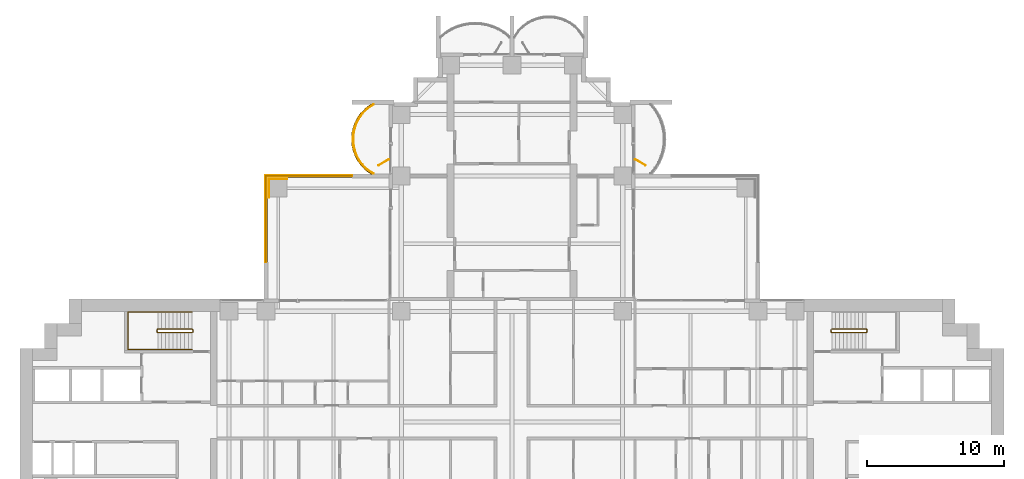
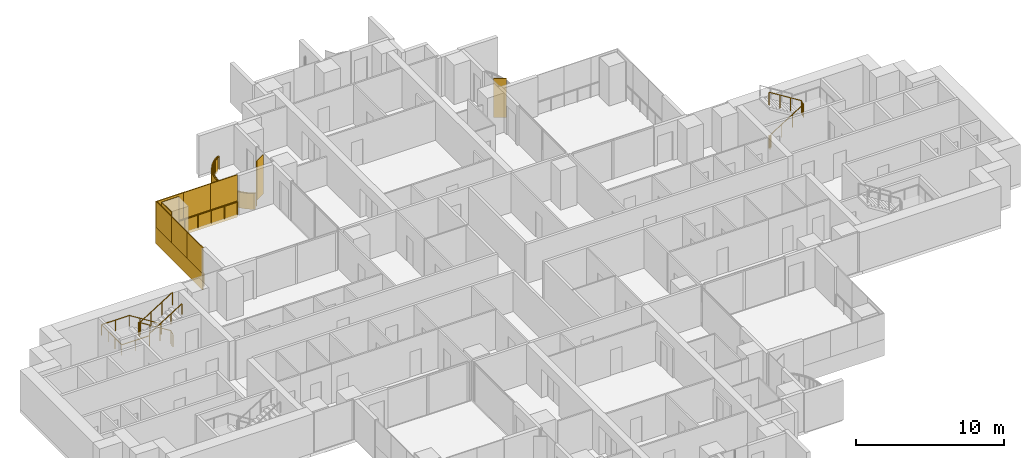
# One storey, part 19 of 21: 10 coverings, 5 railings, 2 shading devices.
"""IFC4 building model written with IfcOpenShell, lengths in metres."""

import ifcopenshell
import ifcopenshell.guid

model = None  # the IFC model being written
_history = None  # IfcOwnerHistory: only IFC2X3 demands one
_inside = {}  # id of a spatial element -> (the spatial element, [elements in it])
_under = {}  # id of a project, library or spatial element -> (it, [spatial elements below it])
_declared = {}  # id of a project -> (the project, [libraries it declares])
_typed = {}  # id of a type object -> (the type object, [elements of that type])
_made_of = {}  # id of a material, layer set ... -> (it, [elements and type objects made of it])


def new_model(schema):
    """Start an empty IFC model of exactly this schema.

    Asked for "IFC4X3", IfcOpenShell would pick the latest addendum, in which some entities
    have other attributes; the version numbers below select the first issue.
    IFC2X3 requires an IfcOwnerHistory on every rooted entity: one is made here for all.
    """
    global model, _history
    if schema == "IFC4X3":
        model = ifcopenshell.file(schema_version=(4, 3, 0, 0))
    else:
        model = ifcopenshell.file(schema=schema)
    _inside.clear()
    _under.clear()
    _declared.clear()
    _typed.clear()
    _made_of.clear()
    _history = None
    if model.schema == "IFC2X3":
        org = make("IfcOrganization", Name="unknown")
        user = make(
            "IfcPersonAndOrganization",
            ThePerson=make("IfcPerson", FamilyName="unknown"),
            TheOrganization=org,
        )
        app = make(
            "IfcApplication",
            ApplicationDeveloper=org,
            Version="unknown",
            ApplicationFullName="unknown",
            ApplicationIdentifier="unknown",
        )
        _history = make(
            "IfcOwnerHistory",
            OwningUser=user,
            OwningApplication=app,
            ChangeAction="ADDED",
            CreationDate=0,
        )
    return model


def make(cls, **values):
    """One entity of the class cls with the attributes given. An attribute that is None is left unset."""
    return model.create_entity(
        cls, **{name: value for name, value in values.items() if value is not None}
    )


def rooted(cls, **values):
    """An entity with a GlobalId (a new one), such as an element, a storey or a relation."""
    return make(cls, GlobalId=ifcopenshell.guid.new(), OwnerHistory=_history, **values)


def si_unit(unit_type, name, prefix=None):
    """IfcSIUnit, for example si_unit("LENGTHUNIT", "METRE", prefix="MILLI")."""
    return make("IfcSIUnit", UnitType=unit_type, Prefix=prefix, Name=name)


def assignment(units):
    """IfcUnitAssignment: the units of a project."""
    return None if units is None else make("IfcUnitAssignment", Units=units)


def point(xyz):
    """IfcCartesianPoint."""
    return None if xyz is None else make("IfcCartesianPoint", Coordinates=xyz)


def direction(xyz):
    """IfcDirection."""
    return None if xyz is None else make("IfcDirection", DirectionRatios=xyz)


def frame(location, z_axis=None, x_axis=None):
    """IfcAxis2Placement3D, a coordinate frame: its origin and axes. An axis left out is left unset."""
    return make(
        "IfcAxis2Placement3D",
        Location=point(location),
        Axis=direction(z_axis),
        RefDirection=direction(x_axis),
    )


def frame_2d(location, x_axis=None):
    """IfcAxis2Placement2D, a coordinate frame in the plane: its origin and x axis."""
    return make(
        "IfcAxis2Placement2D", Location=point(location), RefDirection=direction(x_axis)
    )


def origin():
    """The frame at (0, 0, 0) with its axes left unset."""
    return frame((0.0, 0.0, 0.0))


def origin_2d():
    """The frame at (0, 0) in the plane with its x axis left unset."""
    return frame_2d((0.0, 0.0))


def place(relative_to, where):
    """IfcLocalPlacement: puts the frame where relative to a parent placement (None: the world)."""
    return make(
        "IfcLocalPlacement", PlacementRelTo=relative_to, RelativePlacement=where
    )


def context(
    kind, dimensions, precision=None, world=None, true_north=None, identifier=None
):
    """IfcGeometricRepresentationContext, for example the 3D "Model" context."""
    return make(
        "IfcGeometricRepresentationContext",
        ContextIdentifier=identifier,
        ContextType=kind,
        CoordinateSpaceDimension=dimensions,
        Precision=precision,
        WorldCoordinateSystem=world,
        TrueNorth=true_north,
    )


def subcontext(parent, identifier, kind, view, scale=None):
    """IfcGeometricRepresentationSubContext, for example "Body" below "Model"."""
    return make(
        "IfcGeometricRepresentationSubContext",
        ContextIdentifier=identifier,
        ContextType=kind,
        ParentContext=parent,
        TargetScale=scale,
        TargetView=view,
    )


def project(units=None, contexts=None):
    """IfcProject with its units and contexts."""
    return rooted(
        "IfcProject",
        Name="project",
        RepresentationContexts=contexts,
        UnitsInContext=assignment(units),
    )


def spatial(cls, under=None, at=None, **own):
    """A site, building, storey or space (cls), placed at a placement, below another one or the project."""
    s = rooted(cls, ObjectPlacement=at, **own)
    if under is not None:
        _under.setdefault(under.id(), (under, []))[1].append(s)
    return s


def polyline(points):
    """IfcPolyline through the points."""
    return make("IfcPolyline", Points=[point(p) for p in points])


def profile(cls, at=None, kind="AREA", **sizes):
    """A parametric profile (cls). Its sizes go by their IFC names, for example OverallWidth=200.0."""
    return make(cls, ProfileType=kind, Position=at, **sizes)


def rectangle(**sizes):
    """IfcRectangleProfileDef."""
    return profile("IfcRectangleProfileDef", **sizes)


def outline(outer, holes=None, kind="AREA"):
    """IfcArbitraryClosedProfileDef: a profile drawn as a closed curve; with holes, ...WithVoids."""
    if holes is None:
        return make("IfcArbitraryClosedProfileDef", ProfileType=kind, OuterCurve=outer)
    return make(
        "IfcArbitraryProfileDefWithVoids",
        ProfileType=kind,
        OuterCurve=outer,
        InnerCurves=holes,
    )


def extrude(swept, where, along, depth):
    """IfcExtrudedAreaSolid: the profile swept, set in the frame where, extruded along a direction by depth."""
    return make(
        "IfcExtrudedAreaSolid",
        SweptArea=swept,
        Position=where,
        ExtrudedDirection=direction(along),
        Depth=depth,
    )


def shape(context_of_items, identifier, shape_type, items):
    """IfcShapeRepresentation: the items that make up one representation, for example the "Body"."""
    return make(
        "IfcShapeRepresentation",
        ContextOfItems=context_of_items,
        RepresentationIdentifier=identifier,
        RepresentationType=shape_type,
        Items=items,
    )


def material(Name=None, Category=None):
    """IfcMaterial."""
    return make("IfcMaterial", Name=Name, Category=Category)


def layer(
    of_material, thickness, ventilated=None, Name=None, Category=None, Priority=None
):
    """IfcMaterialLayer: one layer of a wall or slab, of a material (None: an air gap)."""
    return make(
        "IfcMaterialLayer",
        Material=of_material,
        LayerThickness=thickness,
        IsVentilated=ventilated,
        Name=Name,
        Category=Category,
        Priority=Priority,
    )


def layer_set(layers, Name=None):
    """IfcMaterialLayerSet."""
    return make("IfcMaterialLayerSet", MaterialLayers=layers, LayerSetName=Name)


def made_of(thing, what):
    """Note that an element or type object is made of a material, layer set ...; save() writes the relation."""
    if what is not None:
        _made_of.setdefault(what.id(), (what, []))[1].append(thing)
    return thing


def type_object(cls, material=None, **own):
    """A type object (cls), such as IfcWallType, which elements share."""
    return made_of(rooted(cls, **own), material)


def element(
    cls,
    number,
    at=None,
    inside=None,
    cuts=None,
    type_object=None,
    material=None,
    context=None,
    identifier="Body",
    shape_type=None,
    held_by="IfcProductDefinitionShape",
    body=None,
    shapes=None,
    **own,
):
    """One element of the class cls, such as IfcWall. Its Tag is "e" and its number.

    at: its placement. inside: the storey or other place that contains it. cuts: it is an
    opening in that element (IfcRelVoidsElement). A single representation is given by context,
    identifier, shape_type and body (its items); several are given by shapes. held_by: the class
    of the entity that holds the representations. save() writes the other relations.
    """
    e = rooted(cls, Tag="e%d" % number, ObjectPlacement=at, **own)
    if body is not None:
        shapes = [shape(context, identifier, shape_type, body)]
    if shapes is not None:
        e.Representation = make(held_by, Representations=shapes)
    if inside is not None:
        _inside.setdefault(inside.id(), (inside, []))[1].append(e)
    if cuts is not None:
        rooted(
            "IfcRelVoidsElement", RelatingBuildingElement=cuts, RelatedOpeningElement=e
        )
    if type_object is not None:
        _typed.setdefault(type_object.id(), (type_object, []))[1].append(e)
    return made_of(e, material)


def aggregate(whole, parts):
    """IfcRelAggregates: a whole, such as a stair, and the parts it consists of."""
    return rooted("IfcRelAggregates", RelatingObject=whole, RelatedObjects=parts)


def save(model, path):
    """Write the relations noted so far, then the file.

    IfcRelAggregates (storeys below a building ...), IfcRelContainedInSpatialStructure (elements
    in a storey), IfcRelDefinesByType, IfcRelAssociatesMaterial and IfcRelDeclares: one each for
    every whole, place, type object, material and project.
    """
    for whole, parts in _under.values():
        aggregate(whole, parts)
    for where, things in _inside.values():
        rooted(
            "IfcRelContainedInSpatialStructure",
            RelatedElements=things,
            RelatingStructure=where,
        )
    for kind, things in _typed.values():
        rooted("IfcRelDefinesByType", RelatedObjects=things, RelatingType=kind)
    for what, things in _made_of.values():
        rooted("IfcRelAssociatesMaterial", RelatedObjects=things, RelatingMaterial=what)
    for by, libraries in _declared.values():
        rooted("IfcRelDeclares", RelatingContext=by, RelatedDefinitions=libraries)
    model.write(path)


model = new_model("IFC4")

# Units and contexts
model_context = context("Model", 3, precision=1e-05, world=origin(), true_north=direction((0.0, 1.0)))
body_context = subcontext(model_context, "Body", "Model", "MODEL_VIEW")
ifc_project = project(units=[si_unit("LENGTHUNIT", "METRE"), si_unit("AREAUNIT", "SQUARE_METRE"), si_unit("VOLUMEUNIT", "CUBIC_METRE"), si_unit("PLANEANGLEUNIT", "RADIAN"), si_unit("MASSUNIT", "GRAM", prefix="KILO")], contexts=[model_context])

# Site, building, storey
site_placement = place(None, origin())
site = spatial("IfcSite", under=ifc_project, at=site_placement, CompositionType="ELEMENT")
building_placement = place(site_placement, origin())
building = spatial("IfcBuilding", under=site, at=building_placement, Name="Perihelion Cross Residences", CompositionType="ELEMENT")
storey_placement = place(building_placement, frame((0.0, 0.0, 47.0)))
storey = spatial("IfcBuildingStorey", under=building, at=storey_placement, Name="L08", CompositionType="ELEMENT", Elevation=47.0)

# Covering
ifc_material_1 = material(Name="Bronze anodised aluminium", Category="aluminium")
ifc_layer_1 = layer(ifc_material_1, 0.070068359375)
ifc_layer_set_1 = layer_set([ifc_layer_1], Name="Balcony fascia 1300")
covering_type_1 = type_object("IfcCoveringType", Name="Balcony fascia 1300", PredefinedType="CLADDING", material=ifc_layer_set_1)
covering_1_placement = place(storey_placement, frame((0.0, 0.0, -0.199951171875)))
element("IfcCovering", 1, at=covering_1_placement, inside=storey, type_object=covering_type_1, Name="Fascia BF1 L08 north side west bay 1", PredefinedType="CLADDING", context=body_context, shape_type="SweptSolid", body=[
    extrude(outline(polyline([(-10.722412109375, 22.963134765625), (-11.060791015625, 22.61474609375), (-11.308837890625, 22.2666015625), (-11.4912109375, 21.91845703125), (-11.620361328125, 21.5703125), (-11.703369140625, 21.22216796875), (-11.743896484375, 20.8740234375), (-11.743896484375, 20.52587890625), (-11.703369140625, 20.177734375), (-11.620361328125, 19.82958984375), (-11.4912109375, 19.4814453125), (-11.308837890625, 19.13330078125), (-11.060791015625, 18.78515625), (-10.722412109375, 18.43701171875), (-10.320556640625, 18.14990234375), (-10.199951171875, 18.14990234375), (-10.6767578125, 18.489990234375), (-11.007080078125, 18.830078125), (-11.2490234375, 19.169921875), (-11.42724609375, 19.510009765625), (-11.553466796875, 19.85009765625), (-11.63427734375, 20.18994140625), (-11.674072265625, 20.530029296875), (-11.674072265625, 20.8701171875), (-11.63427734375, 21.2099609375), (-11.553466796875, 21.550048828125), (-11.42724609375, 21.889892578125), (-11.2490234375, 22.22998046875), (-11.007080078125, 22.570068359375), (-10.6767578125, 22.909912109375), (-10.199951171875, 23.25), (-10.320556640625, 23.25), (-10.722412109375, 22.963134765625)])), origin(), (0.0, 0.0, 1.0), 1.300048828125),
])

# Railings
ifc_material_2 = material(Name="Bronze anodised aluminium", Category="aluminium")
railing_type_1 = type_object("IfcRailingType", Name="Balcony guard 1100", PredefinedType="GUARDRAIL", material=ifc_material_2)
railing_1_placement = place(storey_placement, frame((-10.139892578125, 23.22509765625, 0.0)))
element("IfcRailing", 2, at=railing_1_placement, inside=storey, type_object=railing_type_1, Name="Guard GU1 L08 north side west bay 1 balcony", PredefinedType="GUARDRAIL", context=body_context, shape_type="SweptSolid", body=[
    extrude(rectangle(XDim=0.048095703125, YDim=0.048095703125, at=origin_2d()), frame((0.0, 0.0, 1.076171875), z_axis=(-0.834212513801, -0.55144309028, 0.0), x_axis=(0.55144309028, -0.834212513801, 0.0)), (0.0, 0.0, 1.0), 0.571533203125),
    extrude(rectangle(XDim=0.048095703125, YDim=0.048095703125, at=origin_2d()), frame((-0.476806640625, -0.315185546875, 1.076171875), z_axis=(-0.696990112603, -0.717080736691, 0.0), x_axis=(0.717080736691, -0.696990112603, 0.0)), (0.0, 0.0, 1.0), 0.473876953125),
    extrude(rectangle(XDim=0.048095703125, YDim=0.048095703125, at=origin_2d()), frame((-0.80712890625, -0.655029296875, 1.076171875), z_axis=(-0.580075995532, -0.814562360662, 0.0), x_axis=(0.814562360662, -0.580075995532, 0.0)), (0.0, 0.0, 1.0), 0.41748046875),
    extrude(rectangle(XDim=0.048095703125, YDim=0.048095703125, at=origin_2d()), frame((-1.04931640625, -0.9951171875, 1.076171875), z_axis=(-0.463674228502, -0.886005761733, 0.0), x_axis=(0.886005761733, -0.463674228502, 0.0)), (0.0, 0.0, 1.0), 0.3837890625),
    extrude(rectangle(XDim=0.048095703125, YDim=0.048095703125, at=origin_2d()), frame((-1.227294921875, -1.335205078125, 1.076171875), z_axis=(-0.348169621027, -0.937431552165, 0.0), x_axis=(0.937431552165, -0.348169621027, 0.0)), (0.0, 0.0, 1.0), 0.362548828125),
    extrude(rectangle(XDim=0.048095703125, YDim=0.048095703125, at=origin_2d()), frame((-1.353515625, -1.675048828125, 1.076171875), z_axis=(-0.231840805498, -0.972753741142, 0.0), x_axis=(0.972753741142, -0.231840805498, 0.0)), (0.0, 0.0, 1.0), 0.349609375),
    extrude(rectangle(XDim=0.048095703125, YDim=0.048095703125, at=origin_2d()), frame((-1.4345703125, -2.01513671875, 1.076171875), z_axis=(-0.11559909788, -0.993295952156, 0.0), x_axis=(0.993295952156, -0.11559909788, 0.0)), (0.0, 0.0, 1.0), 0.342041015625),
    extrude(rectangle(XDim=0.048095703125, YDim=0.048095703125, at=origin_2d()), frame((-1.47412109375, -2.35498046875, 1.076171875), z_axis=(0.0, -1.0, 0.0), x_axis=(1.0, 0.0, 0.0)), (0.0, 0.0, 1.0), 0.340087890625),
    extrude(rectangle(XDim=0.048095703125, YDim=0.048095703125, at=origin_2d()), frame((-1.47412109375, -2.695068359375, 1.076171875), z_axis=(0.11551721994, -0.993305477634, 0.0), x_axis=(0.993305477634, 0.11551721994, 0.0)), (0.0, 0.0, 1.0), 0.34228515625),
    extrude(rectangle(XDim=0.048095703125, YDim=0.048095703125, at=origin_2d()), frame((-1.4345703125, -3.03515625, 1.076171875), z_axis=(0.231998396458, -0.972716168284, 0.0), x_axis=(0.972716168284, 0.231998396458, 0.0)), (0.0, 0.0, 1.0), 0.349365234375),
    extrude(rectangle(XDim=0.048095703125, YDim=0.048095703125, at=origin_2d()), frame((-1.353515625, -3.375, 1.076171875), z_axis=(0.347949948587, -0.93751311099, 0.0), x_axis=(0.93751311099, 0.347949948587, 0.0)), (0.0, 0.0, 1.0), 0.36279296875),
    extrude(rectangle(XDim=0.048095703125, YDim=0.048095703125, at=origin_2d()), frame((-1.227294921875, -3.715087890625, 1.076171875), z_axis=(0.463674228502, -0.886005761733, 0.0), x_axis=(0.886005761733, 0.463674228502, 0.0)), (0.0, 0.0, 1.0), 0.3837890625),
    extrude(rectangle(XDim=0.048095703125, YDim=0.048095703125, at=origin_2d()), frame((-1.04931640625, -4.05517578125, 1.076171875), z_axis=(0.580352394782, -0.814365457194, 0.0), x_axis=(0.814365457194, 0.580352394782, 0.0)), (0.0, 0.0, 1.0), 0.417236328125),
    extrude(rectangle(XDim=0.048095703125, YDim=0.048095703125, at=origin_2d()), frame((-0.80712890625, -4.39501953125, 1.076171875), z_axis=(0.69673269466, -0.717330852669, 0.0), x_axis=(0.717330852669, 0.69673269466, 0.0)), (0.0, 0.0, 1.0), 0.47412109375),
    extrude(rectangle(XDim=0.048095703125, YDim=0.048095703125, at=origin_2d()), frame((-0.476806640625, -4.735107421875, 1.076171875), z_axis=(0.834409002258, -0.551145731138, 0.0), x_axis=(0.551145731138, 0.834409002258, 0.0)), (0.0, 0.0, 1.0), 0.571533203125),
    extrude(rectangle(XDim=0.0419921875, YDim=0.0419921875, at=origin_2d()), origin(), (0.0, 0.0, 1.0), 1.052001953125),
    extrude(rectangle(XDim=0.0419921875, YDim=0.0419921875, at=origin_2d()), frame((-0.476806640625, -0.315185546875, 0.0)), (0.0, 0.0, 1.0), 1.052001953125),
    extrude(rectangle(XDim=0.0419921875, YDim=0.0419921875, at=origin_2d()), frame((-0.80712890625, -0.655029296875, 0.0)), (0.0, 0.0, 1.0), 1.052001953125),
    extrude(rectangle(XDim=0.0419921875, YDim=0.0419921875, at=origin_2d()), frame((-1.04931640625, -0.9951171875, 0.0)), (0.0, 0.0, 1.0), 1.052001953125),
    extrude(rectangle(XDim=0.0419921875, YDim=0.0419921875, at=origin_2d()), frame((-1.227294921875, -1.335205078125, 0.0)), (0.0, 0.0, 1.0), 1.052001953125),
    extrude(rectangle(XDim=0.0419921875, YDim=0.0419921875, at=origin_2d()), frame((-1.353515625, -1.675048828125, 0.0)), (0.0, 0.0, 1.0), 1.052001953125),
    extrude(rectangle(XDim=0.0419921875, YDim=0.0419921875, at=origin_2d()), frame((-1.4345703125, -2.01513671875, 0.0)), (0.0, 0.0, 1.0), 1.052001953125),
    extrude(rectangle(XDim=0.0419921875, YDim=0.0419921875, at=origin_2d()), frame((-1.47412109375, -2.35498046875, 0.0)), (0.0, 0.0, 1.0), 1.052001953125),
    extrude(rectangle(XDim=0.0419921875, YDim=0.0419921875, at=origin_2d()), frame((-1.47412109375, -2.695068359375, 0.0)), (0.0, 0.0, 1.0), 1.052001953125),
    extrude(rectangle(XDim=0.0419921875, YDim=0.0419921875, at=origin_2d()), frame((-1.4345703125, -3.03515625, 0.0)), (0.0, 0.0, 1.0), 1.052001953125),
    extrude(rectangle(XDim=0.0419921875, YDim=0.0419921875, at=origin_2d()), frame((-1.353515625, -3.375, 0.0)), (0.0, 0.0, 1.0), 1.052001953125),
    extrude(rectangle(XDim=0.0419921875, YDim=0.0419921875, at=origin_2d()), frame((-1.227294921875, -3.715087890625, 0.0)), (0.0, 0.0, 1.0), 1.052001953125),
    extrude(rectangle(XDim=0.0419921875, YDim=0.0419921875, at=origin_2d()), frame((-1.04931640625, -4.05517578125, 0.0)), (0.0, 0.0, 1.0), 1.052001953125),
    extrude(rectangle(XDim=0.0419921875, YDim=0.0419921875, at=origin_2d()), frame((-0.80712890625, -4.39501953125, 0.0)), (0.0, 0.0, 1.0), 1.052001953125),
    extrude(rectangle(XDim=0.0419921875, YDim=0.0419921875, at=origin_2d()), frame((-0.476806640625, -4.735107421875, 0.0)), (0.0, 0.0, 1.0), 1.052001953125),
    extrude(rectangle(XDim=0.0419921875, YDim=0.0419921875, at=origin_2d()), frame((0.0, -5.050048828125, 0.0)), (0.0, 0.0, 1.0), 1.052001953125),
])
railing_2_placement = place(storey_placement, frame((-17.93994140625, 11.739990234375, 0.0)))
element("IfcRailing", 3, at=railing_2_placement, inside=storey, type_object=railing_type_1, Name="Guard GU1 L08 pocket north-west 1", PredefinedType="GUARDRAIL", context=body_context, shape_type="SweptSolid", body=[
    extrude(rectangle(XDim=0.048095703125, YDim=0.048095703125, at=origin_2d()), frame((0.0, 0.0, 1.076171875), z_axis=(0.0, 1.0, 0.0), x_axis=(-1.0, 0.0, 0.0)), (0.0, 0.0, 1.0), 6.199951171875),
    extrude(rectangle(XDim=0.048095703125, YDim=0.048095703125, at=origin_2d()), frame((0.0, 6.199951171875, 1.076171875), z_axis=(1.0, 0.0, 0.0), x_axis=(0.0, 1.0, 0.0)), (0.0, 0.0, 1.0), 6.199951171875),
    extrude(rectangle(XDim=0.0419921875, YDim=0.0419921875, at=origin_2d()), origin(), (0.0, 0.0, 1.0), 1.052001953125),
    extrude(rectangle(XDim=0.0419921875, YDim=0.0419921875, at=origin_2d()), frame((0.0, 1.033203125, 0.0)), (0.0, 0.0, 1.0), 1.052001953125),
    extrude(rectangle(XDim=0.0419921875, YDim=0.0419921875, at=origin_2d()), frame((0.0, 2.066650390625, 0.0)), (0.0, 0.0, 1.0), 1.052001953125),
    extrude(rectangle(XDim=0.0419921875, YDim=0.0419921875, at=origin_2d()), frame((0.0, 3.10009765625, 0.0)), (0.0, 0.0, 1.0), 1.052001953125),
    extrude(rectangle(XDim=0.0419921875, YDim=0.0419921875, at=origin_2d()), frame((0.0, 4.13330078125, 0.0)), (0.0, 0.0, 1.0), 1.052001953125),
    extrude(rectangle(XDim=0.0419921875, YDim=0.0419921875, at=origin_2d()), frame((0.0, 5.16650390625, 0.0)), (0.0, 0.0, 1.0), 1.052001953125),
    extrude(rectangle(XDim=0.0419921875, YDim=0.0419921875, at=origin_2d()), frame((0.0, 6.199951171875, 0.0)), (0.0, 0.0, 1.0), 1.052001953125),
    extrude(rectangle(XDim=0.0419921875, YDim=0.0419921875, at=origin_2d()), frame((1.033203125, 6.199951171875, 0.0)), (0.0, 0.0, 1.0), 1.052001953125),
    extrude(rectangle(XDim=0.0419921875, YDim=0.0419921875, at=origin_2d()), frame((2.066650390625, 6.199951171875, 0.0)), (0.0, 0.0, 1.0), 1.052001953125),
    extrude(rectangle(XDim=0.0419921875, YDim=0.0419921875, at=origin_2d()), frame((3.10009765625, 6.199951171875, 0.0)), (0.0, 0.0, 1.0), 1.052001953125),
    extrude(rectangle(XDim=0.0419921875, YDim=0.0419921875, at=origin_2d()), frame((4.13330078125, 6.199951171875, 0.0)), (0.0, 0.0, 1.0), 1.052001953125),
    extrude(rectangle(XDim=0.0419921875, YDim=0.0419921875, at=origin_2d()), frame((5.16650390625, 6.199951171875, 0.0)), (0.0, 0.0, 1.0), 1.052001953125),
    extrude(rectangle(XDim=0.0419921875, YDim=0.0419921875, at=origin_2d()), frame((6.199951171875, 6.199951171875, 0.0)), (0.0, 0.0, 1.0), 1.052001953125),
])

# Coverings
ifc_material_3 = material(Name="Bronze anodised aluminium", Category="aluminium")
ifc_layer_2 = layer(ifc_material_3, 0.0400390625)
ifc_layer_set_2 = layer_set([ifc_layer_2], Name="Bronze column casing 40")
covering_type_2 = type_object("IfcCoveringType", Name="Bronze column casing 40", PredefinedType="CLADDING", material=ifc_layer_set_2)
covering_2_placement = place(storey_placement, frame((-17.77001953125, 17.10009765625, -0.25), z_axis=(0.0, 0.0, 1.0), x_axis=(1.0, 0.0, 0.0)))
element("IfcCovering", 4, at=covering_2_placement, inside=storey, type_object=covering_type_2, Name="Cladding CC1 L08 casing east-west no. 2", PredefinedType="CLADDING", context=body_context, shape_type="SweptSolid", body=[
    extrude(rectangle(XDim=0.0400390625, YDim=1.3798828125, at=origin_2d()), origin(), (0.0, 0.0, 1.0), 3.5),
])
covering_3_placement = place(storey_placement, frame((-17.10009765625, 17.77001953125, -0.25), z_axis=(0.0, 0.0, 1.0), x_axis=(1.0, 0.0, 0.0)))
element("IfcCovering", 5, at=covering_3_placement, inside=storey, type_object=covering_type_2, Name="Cladding CC1 L08 casing north-south no. 2", PredefinedType="CLADDING", context=body_context, shape_type="SweptSolid", body=[
    extrude(rectangle(XDim=1.300048828125, YDim=0.0400390625, at=origin_2d()), origin(), (0.0, 0.0, 1.0), 3.5),
])

# Shading devices
ifc_material_4 = material(Name="Bronze anodised aluminium", Category="aluminium")
ifc_layer_3 = layer(ifc_material_4, 0.050048828125)
ifc_layer_set_3 = layer_set([ifc_layer_3], Name="Bronze fin 900")
shading_device_type = type_object("IfcShadingDeviceType", Name="Bronze fin 900", PredefinedType="USERDEFINED", material=ifc_layer_set_3)
for number, where, z_axis, x_axis, name in (
    (6, (9.3896484375, 19.0, 0.0), (0.0, 0.0, 1.0), (0.866025403784, -0.5, 0.0), "Fin FN1 L08 north side east bay 2"),
    (7, (-9.3896484375, 19.0, 0.0), (0.0, 0.0, 1.0), (-0.866025403784, -0.5, 0.0), "Fin FN1 L08 north side west bay 1"),
):
    element("IfcShadingDevice", number, at=place(storey_placement, frame(where, z_axis=z_axis, x_axis=x_axis)), inside=storey, type_object=shading_device_type, Name=name, ObjectType="FIN", PredefinedType="USERDEFINED", context=body_context, shape_type="SweptSolid", body=[
        extrude(rectangle(XDim=0.89990234375, YDim=0.050048828125, at=origin_2d()), origin(), (0.0, 0.0, 1.0), 3.25),
    ])

# Coverings
ifc_material_5 = material(Name="Bronze anodised aluminium", Category="aluminium")
ifc_layer_4 = layer(ifc_material_5, 0.070068359375)
ifc_layer_set_4 = layer_set([ifc_layer_4], Name="Pocket fascia 1350")
covering_type_3 = type_object("IfcCoveringType", Name="Pocket fascia 1350", PredefinedType="CLADDING", material=ifc_layer_set_4)
covering_4_placement = place(storey_placement, frame((0.0, 0.0, -0.25)))
element("IfcCovering", 8, at=covering_4_placement, inside=storey, type_object=covering_type_3, Name="Fascia BF2 L08 pocket north-west 3", PredefinedType="CLADDING", context=body_context, shape_type="SweptSolid", body=[
    extrude(outline(polyline([(-18.070068359375, 18.070068359375), (-18.070068359375, 11.699951171875), (-18.0, 11.699951171875), (-18.0, 18.0), (-11.699951171875, 18.0), (-11.699951171875, 18.070068359375), (-18.070068359375, 18.070068359375)])), origin(), (0.0, 0.0, 1.0), 1.35009765625),
])
ifc_material_6 = material(Name="Bronze perforated aluminium", Category="aluminium")
ifc_layer_5 = layer(ifc_material_6, 0.070068359375)
ifc_layer_set_5 = layer_set([ifc_layer_5], Name="Pocket solar screen, bronze perforated")
covering_type_4 = type_object("IfcCoveringType", Name="Pocket solar screen, bronze perforated", PredefinedType="CLADDING", material=ifc_layer_set_5)
covering_5_placement = place(storey_placement, frame((0.0, 0.0, 1.10009765625)))
element("IfcCovering", 9, at=covering_5_placement, inside=storey, type_object=covering_type_4, Name="Solar screen PS1 L08 pocket north-west no. 1", PredefinedType="CLADDING", context=body_context, shape_type="SweptSolid", body=[
    extrude(outline(polyline([(-18.0, 11.699951171875), (-18.0, 13.800048828125), (-18.070068359375, 13.800048828125), (-18.070068359375, 11.699951171875), (-18.0, 11.699951171875)])), origin(), (0.0, 0.0, 1.0), 2.14990234375),
])
covering_6_placement = place(storey_placement, frame((0.0, 0.0, 1.10009765625)))
element("IfcCovering", 10, at=covering_6_placement, inside=storey, type_object=covering_type_4, Name="Solar screen PS1 L08 pocket north-west no. 2", PredefinedType="CLADDING", context=body_context, shape_type="SweptSolid", body=[
    extrude(outline(polyline([(-18.0, 13.800048828125), (-18.0, 15.89990234375), (-18.070068359375, 15.89990234375), (-18.070068359375, 13.800048828125), (-18.0, 13.800048828125)])), origin(), (0.0, 0.0, 1.0), 2.14990234375),
])
covering_7_placement = place(storey_placement, frame((0.0, 0.0, 1.10009765625)))
element("IfcCovering", 11, at=covering_7_placement, inside=storey, type_object=covering_type_4, Name="Solar screen PS1 L08 pocket north-west no. 3", PredefinedType="CLADDING", context=body_context, shape_type="SweptSolid", body=[
    extrude(outline(polyline([(-18.0, 15.89990234375), (-18.0, 18.0), (-18.070068359375, 18.0), (-18.070068359375, 15.89990234375), (-18.0, 15.89990234375)])), origin(), (0.0, 0.0, 1.0), 2.14990234375),
])
covering_8_placement = place(storey_placement, frame((0.0, 0.0, 1.10009765625)))
element("IfcCovering", 12, at=covering_8_placement, inside=storey, type_object=covering_type_4, Name="Solar screen PS1 L08 pocket north-west no. 4", PredefinedType="CLADDING", context=body_context, shape_type="SweptSolid", body=[
    extrude(outline(polyline([(-15.94677734375, 18.0), (-15.94677734375, 18.070068359375), (-18.070068359375, 18.070068359375), (-18.070068359375, 18.0), (-15.94677734375, 18.0)])), origin(), (0.0, 0.0, 1.0), 2.14990234375),
])
covering_9_placement = place(storey_placement, frame((0.0, 0.0, 1.10009765625)))
element("IfcCovering", 13, at=covering_9_placement, inside=storey, type_object=covering_type_4, Name="Solar screen PS1 L08 pocket north-west no. 5", PredefinedType="CLADDING", context=body_context, shape_type="SweptSolid", body=[
    extrude(outline(polyline([(-13.8232421875, 18.0), (-13.8232421875, 18.070068359375), (-15.94677734375, 18.070068359375), (-15.94677734375, 18.0), (-13.8232421875, 18.0)])), origin(), (0.0, 0.0, 1.0), 2.14990234375),
])
covering_10_placement = place(storey_placement, frame((0.0, 0.0, 1.10009765625)))
element("IfcCovering", 14, at=covering_10_placement, inside=storey, type_object=covering_type_4, Name="Solar screen PS1 L08 pocket north-west no. 6", PredefinedType="CLADDING", context=body_context, shape_type="SweptSolid", body=[
    extrude(outline(polyline([(-11.699951171875, 18.0), (-11.699951171875, 18.070068359375), (-13.8232421875, 18.070068359375), (-13.8232421875, 18.0), (-11.699951171875, 18.0)])), origin(), (0.0, 0.0, 1.0), 2.14990234375),
])

# Railings
ifc_material_7 = material(Name="Stainless steel", Category="steel")
railing_type_2 = type_object("IfcRailingType", Name="Stair guard 1100", PredefinedType="GUARDRAIL", material=ifc_material_7)
railing_3_placement = place(storey_placement, frame((23.35009765625, 6.75, 0.0)))
element("IfcRailing", 15, at=railing_3_placement, inside=storey, type_object=railing_type_2, Name="L08 ST-E1 stair guard 1", PredefinedType="GUARDRAIL", context=body_context, shape_type="SweptSolid", body=[
    extrude(rectangle(XDim=0.048095703125, YDim=0.048095703125, at=origin_2d()), frame((0.0, 0.0, 1.076171875), z_axis=(0.0, -1.0, 0.0), x_axis=(1.0, 0.0, 0.0)), (0.0, 0.0, 1.0), 0.14990234375),
    extrude(rectangle(XDim=0.048095703125, YDim=0.048095703125, at=origin_2d()), frame((0.0, -0.14990234375, 1.076171875), z_axis=(0.263862480399, -0.265155923931, 0.927399011991), x_axis=(0.708833529934, 0.705375805398, 0.0)), (0.0, 0.0, 1.0), 0.188720703125),
    extrude(rectangle(XDim=0.048095703125, YDim=0.048095703125, at=origin_2d()), frame((0.0498046875, -0.199951171875, 1.2509765625), z_axis=(0.848007534815, 0.0, 0.529984170421), x_axis=(0.0, 1.0, 0.0)), (0.0, 0.0, 1.0), 2.9716796875),
    extrude(rectangle(XDim=0.048095703125, YDim=0.048095703125, at=origin_2d()), frame((2.56982421875, -0.199951171875, 2.826171875), z_axis=(0.707106781187, 0.707106781187, 0.0), x_axis=(-0.707106781187, 0.707106781187, 0.0)), (0.0, 0.0, 1.0), 0.07080078125),
    extrude(rectangle(XDim=0.048095703125, YDim=0.048095703125, at=origin_2d()), frame((2.619873046875, -0.14990234375, 2.826171875), z_axis=(0.0, 1.0, 0.0), x_axis=(-1.0, 0.0, 0.0)), (0.0, 0.0, 1.0), 0.14990234375),
    extrude(rectangle(XDim=0.048095703125, YDim=0.048095703125, at=origin_2d()), frame((2.619873046875, 0.0, 2.826171875), z_axis=(-0.265065253269, 0.265065253269, 0.927081885822), x_axis=(-0.707106781187, -0.707106781187, 0.0)), (0.0, 0.0, 1.0), 0.188720703125),
    extrude(rectangle(XDim=0.048095703125, YDim=0.048095703125, at=origin_2d()), frame((2.56982421875, 0.050048828125, 3.0009765625), z_axis=(-0.848007534815, 0.0, 0.529984170421), x_axis=(0.0, -1.0, 0.0)), (0.0, 0.0, 1.0), 2.9716796875),
    extrude(rectangle(XDim=0.0419921875, YDim=0.0419921875, at=origin_2d()), origin(), (0.0, 0.0, 1.0), 1.052001953125),
    extrude(rectangle(XDim=0.0419921875, YDim=0.0419921875, at=origin_2d()), frame((0.0, -0.14990234375, 0.0)), (0.0, 0.0, 1.0), 1.052001953125),
    extrude(rectangle(XDim=0.0419921875, YDim=0.0419921875, at=origin_2d()), frame((0.0498046875, -0.199951171875, 0.175048828125)), (0.0, 0.0, 1.0), 1.052001953125),
    extrude(rectangle(XDim=0.0419921875, YDim=0.0419921875, at=origin_2d()), frame((0.889892578125, -0.199951171875, 0.699951171875)), (0.0, 0.0, 1.0), 1.052001953125),
    extrude(rectangle(XDim=0.0419921875, YDim=0.0419921875, at=origin_2d()), frame((1.729736328125, -0.199951171875, 1.22509765625)), (0.0, 0.0, 1.0), 1.052001953125),
    extrude(rectangle(XDim=0.0419921875, YDim=0.0419921875, at=origin_2d()), frame((2.56982421875, -0.199951171875, 1.75)), (0.0, 0.0, 1.0), 1.052001953125),
    extrude(rectangle(XDim=0.0419921875, YDim=0.0419921875, at=origin_2d()), frame((2.619873046875, -0.14990234375, 1.75)), (0.0, 0.0, 1.0), 1.052001953125),
    extrude(rectangle(XDim=0.0419921875, YDim=0.0419921875, at=origin_2d()), frame((2.619873046875, 0.0, 1.75)), (0.0, 0.0, 1.0), 1.052001953125),
    extrude(rectangle(XDim=0.0419921875, YDim=0.0419921875, at=origin_2d()), frame((2.56982421875, 0.050048828125, 1.925048828125)), (0.0, 0.0, 1.0), 1.052001953125),
    extrude(rectangle(XDim=0.0419921875, YDim=0.0419921875, at=origin_2d()), frame((1.729736328125, 0.050048828125, 2.449951171875)), (0.0, 0.0, 1.0), 1.052001953125),
    extrude(rectangle(XDim=0.0419921875, YDim=0.0419921875, at=origin_2d()), frame((0.889892578125, 0.050048828125, 2.97509765625)), (0.0, 0.0, 1.0), 1.052001953125),
    extrude(rectangle(XDim=0.0419921875, YDim=0.0419921875, at=origin_2d()), frame((0.0498046875, 0.050048828125, 3.5)), (0.0, 0.0, 1.0), 1.052001953125),
])
railing_4_placement = place(storey_placement, frame((-23.35009765625, 6.60009765625, 0.0)))
element("IfcRailing", 16, at=railing_4_placement, inside=storey, type_object=railing_type_2, Name="L08 ST-W1 stair guard 1", PredefinedType="GUARDRAIL", context=body_context, shape_type="SweptSolid", body=[
    extrude(rectangle(XDim=0.048095703125, YDim=0.048095703125, at=origin_2d()), frame((0.0, 0.0, 1.076171875), z_axis=(0.0, 1.0, 0.0), x_axis=(-1.0, 0.0, 0.0)), (0.0, 0.0, 1.0), 0.14990234375),
    extrude(rectangle(XDim=0.048095703125, YDim=0.048095703125, at=origin_2d()), frame((0.0, 0.14990234375, 1.076171875), z_axis=(-0.263862480399, 0.265155923931, 0.927399011991), x_axis=(-0.708833529934, -0.705375805398, 0.0)), (0.0, 0.0, 1.0), 0.188720703125),
    extrude(rectangle(XDim=0.048095703125, YDim=0.048095703125, at=origin_2d()), frame((-0.0498046875, 0.199951171875, 1.2509765625), z_axis=(-0.848007534815, 0.0, 0.529984170421), x_axis=(0.0, -1.0, 0.0)), (0.0, 0.0, 1.0), 2.9716796875),
    extrude(rectangle(XDim=0.048095703125, YDim=0.048095703125, at=origin_2d()), frame((-2.56982421875, 0.199951171875, 2.826171875), z_axis=(-0.707106781187, -0.707106781187, 0.0), x_axis=(0.707106781187, -0.707106781187, 0.0)), (0.0, 0.0, 1.0), 0.07080078125),
    extrude(rectangle(XDim=0.048095703125, YDim=0.048095703125, at=origin_2d()), frame((-2.619873046875, 0.14990234375, 2.826171875), z_axis=(0.0, -1.0, 0.0), x_axis=(1.0, 0.0, 0.0)), (0.0, 0.0, 1.0), 0.14990234375),
    extrude(rectangle(XDim=0.048095703125, YDim=0.048095703125, at=origin_2d()), frame((-2.619873046875, 0.0, 2.826171875), z_axis=(0.265065253269, -0.265065253269, 0.927081885822), x_axis=(0.707106781187, 0.707106781187, 0.0)), (0.0, 0.0, 1.0), 0.188720703125),
    extrude(rectangle(XDim=0.048095703125, YDim=0.048095703125, at=origin_2d()), frame((-2.56982421875, -0.050048828125, 3.0009765625), z_axis=(0.848007534815, 0.0, 0.529984170421), x_axis=(0.0, 1.0, 0.0)), (0.0, 0.0, 1.0), 2.9716796875),
    extrude(rectangle(XDim=0.0419921875, YDim=0.0419921875, at=origin_2d()), origin(), (0.0, 0.0, 1.0), 1.052001953125),
    extrude(rectangle(XDim=0.0419921875, YDim=0.0419921875, at=origin_2d()), frame((0.0, 0.14990234375, 0.0)), (0.0, 0.0, 1.0), 1.052001953125),
    extrude(rectangle(XDim=0.0419921875, YDim=0.0419921875, at=origin_2d()), frame((-0.0498046875, 0.199951171875, 0.175048828125)), (0.0, 0.0, 1.0), 1.052001953125),
    extrude(rectangle(XDim=0.0419921875, YDim=0.0419921875, at=origin_2d()), frame((-0.889892578125, 0.199951171875, 0.699951171875)), (0.0, 0.0, 1.0), 1.052001953125),
    extrude(rectangle(XDim=0.0419921875, YDim=0.0419921875, at=origin_2d()), frame((-1.729736328125, 0.199951171875, 1.22509765625)), (0.0, 0.0, 1.0), 1.052001953125),
    extrude(rectangle(XDim=0.0419921875, YDim=0.0419921875, at=origin_2d()), frame((-2.56982421875, 0.199951171875, 1.75)), (0.0, 0.0, 1.0), 1.052001953125),
    extrude(rectangle(XDim=0.0419921875, YDim=0.0419921875, at=origin_2d()), frame((-2.619873046875, 0.14990234375, 1.75)), (0.0, 0.0, 1.0), 1.052001953125),
    extrude(rectangle(XDim=0.0419921875, YDim=0.0419921875, at=origin_2d()), frame((-2.619873046875, 0.0, 1.75)), (0.0, 0.0, 1.0), 1.052001953125),
    extrude(rectangle(XDim=0.0419921875, YDim=0.0419921875, at=origin_2d()), frame((-2.56982421875, -0.050048828125, 1.925048828125)), (0.0, 0.0, 1.0), 1.052001953125),
    extrude(rectangle(XDim=0.0419921875, YDim=0.0419921875, at=origin_2d()), frame((-1.729736328125, -0.050048828125, 2.449951171875)), (0.0, 0.0, 1.0), 1.052001953125),
    extrude(rectangle(XDim=0.0419921875, YDim=0.0419921875, at=origin_2d()), frame((-0.889892578125, -0.050048828125, 2.97509765625)), (0.0, 0.0, 1.0), 1.052001953125),
    extrude(rectangle(XDim=0.0419921875, YDim=0.0419921875, at=origin_2d()), frame((-0.0498046875, -0.050048828125, 3.5)), (0.0, 0.0, 1.0), 1.052001953125),
])
ifc_material_8 = material(Name="Stainless steel", Category="steel")
railing_type_3 = type_object("IfcRailingType", Name="Stair handrail 900", PredefinedType="HANDRAIL", material=ifc_material_8)
railing_5_placement = place(storey_placement, frame((-23.39990234375, 8.050048828125, 0.175048828125)))
element("IfcRailing", 17, at=railing_5_placement, inside=storey, type_object=railing_type_3, Name="L08 ST-W1 stair handrail 1", PredefinedType="HANDRAIL", context=body_context, shape_type="SweptSolid", body=[
    extrude(rectangle(XDim=0.048095703125, YDim=0.048095703125, at=origin_2d()), frame((0.0, 0.0, 0.8759765625), z_axis=(-0.848007534815, 0.0, 0.529984170421), x_axis=(0.0, -1.0, 0.0)), (0.0, 0.0, 1.0), 2.9716796875),
    extrude(rectangle(XDim=0.048095703125, YDim=0.048095703125, at=origin_2d()), frame((-2.52001953125, 0.0, 2.45068359375), z_axis=(-1.0, 0.0, 0.0), x_axis=(0.0, -1.0, 0.0)), (0.0, 0.0, 1.0), 2.18017578125),
    extrude(rectangle(XDim=0.048095703125, YDim=0.048095703125, at=origin_2d()), frame((-4.7001953125, 0.0, 2.45068359375), z_axis=(0.0, -1.0, 0.0), x_axis=(1.0, 0.0, 0.0)), (0.0, 0.0, 1.0), 2.75),
    extrude(rectangle(XDim=0.048095703125, YDim=0.048095703125, at=origin_2d()), frame((-4.7001953125, -2.75, 2.45068359375), z_axis=(1.0, 0.0, 0.0), x_axis=(0.0, 1.0, 0.0)), (0.0, 0.0, 1.0), 2.18017578125),
    extrude(rectangle(XDim=0.048095703125, YDim=0.048095703125, at=origin_2d()), frame((-2.52001953125, -2.75, 2.45068359375), z_axis=(0.0, 0.0, 1.0), x_axis=(1.0, 0.0, 0.0)), (0.0, 0.0, 1.0), 0.175048828125),
    extrude(rectangle(XDim=0.048095703125, YDim=0.048095703125, at=origin_2d()), frame((-2.52001953125, -2.75, 2.6259765625), z_axis=(0.848007534815, 0.0, 0.529984170421), x_axis=(0.0, 1.0, 0.0)), (0.0, 0.0, 1.0), 2.9716796875),
    extrude(rectangle(XDim=0.0419921875, YDim=0.0419921875, at=origin_2d()), origin(), (0.0, 0.0, 1.0), 0.851806640625),
    extrude(rectangle(XDim=0.0419921875, YDim=0.0419921875, at=origin_2d()), frame((-0.840087890625, 0.0, 0.52490234375)), (0.0, 0.0, 1.0), 0.851806640625),
    extrude(rectangle(XDim=0.0419921875, YDim=0.0419921875, at=origin_2d()), frame((-1.679931640625, 0.0, 1.050048828125)), (0.0, 0.0, 1.0), 0.851806640625),
    extrude(rectangle(XDim=0.0419921875, YDim=0.0419921875, at=origin_2d()), frame((-2.52001953125, 0.0, 1.574951171875)), (0.0, 0.0, 1.0), 0.851806640625),
    extrude(rectangle(XDim=0.0419921875, YDim=0.0419921875, at=origin_2d()), frame((-3.610107421875, 0.0, 1.574951171875)), (0.0, 0.0, 1.0), 0.851806640625),
    extrude(rectangle(XDim=0.0419921875, YDim=0.0419921875, at=origin_2d()), frame((-4.7001953125, 0.0, 1.574951171875)), (0.0, 0.0, 1.0), 0.851806640625),
    extrude(rectangle(XDim=0.0419921875, YDim=0.0419921875, at=origin_2d()), frame((-4.7001953125, -0.916748046875, 1.574951171875)), (0.0, 0.0, 1.0), 0.851806640625),
    extrude(rectangle(XDim=0.0419921875, YDim=0.0419921875, at=origin_2d()), frame((-4.7001953125, -1.833251953125, 1.574951171875)), (0.0, 0.0, 1.0), 0.851806640625),
    extrude(rectangle(XDim=0.0419921875, YDim=0.0419921875, at=origin_2d()), frame((-4.7001953125, -2.75, 1.574951171875)), (0.0, 0.0, 1.0), 0.851806640625),
    extrude(rectangle(XDim=0.0419921875, YDim=0.0419921875, at=origin_2d()), frame((-3.610107421875, -2.75, 1.574951171875)), (0.0, 0.0, 1.0), 0.851806640625),
    extrude(rectangle(XDim=0.0419921875, YDim=0.0419921875, at=origin_2d()), frame((-2.52001953125, -2.75, 1.574951171875)), (0.0, 0.0, 1.0), 0.851806640625),
    extrude(rectangle(XDim=0.0419921875, YDim=0.0419921875, at=origin_2d()), frame((-2.52001953125, -2.75, 1.75)), (0.0, 0.0, 1.0), 0.851806640625),
    extrude(rectangle(XDim=0.0419921875, YDim=0.0419921875, at=origin_2d()), frame((-1.679931640625, -2.75, 2.27490234375)), (0.0, 0.0, 1.0), 0.851806640625),
    extrude(rectangle(XDim=0.0419921875, YDim=0.0419921875, at=origin_2d()), frame((-0.840087890625, -2.75, 2.800048828125)), (0.0, 0.0, 1.0), 0.851806640625),
    extrude(rectangle(XDim=0.0419921875, YDim=0.0419921875, at=origin_2d()), frame((0.0, -2.75, 3.324951171875)), (0.0, 0.0, 1.0), 0.851806640625),
])

save(model, "model.ifc")
